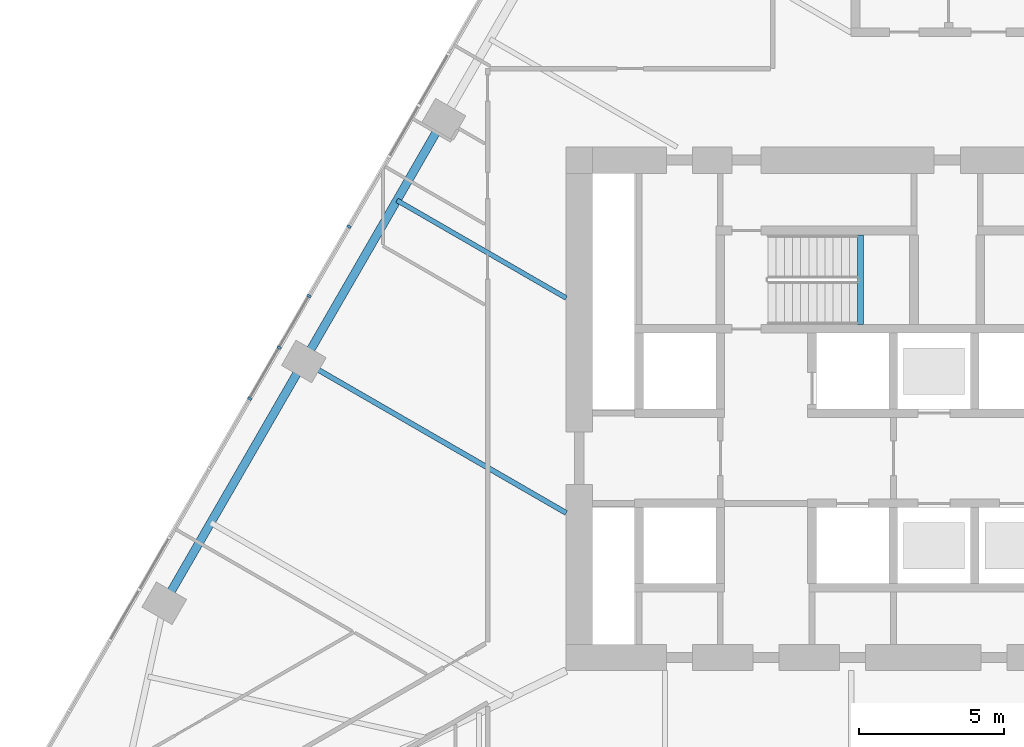
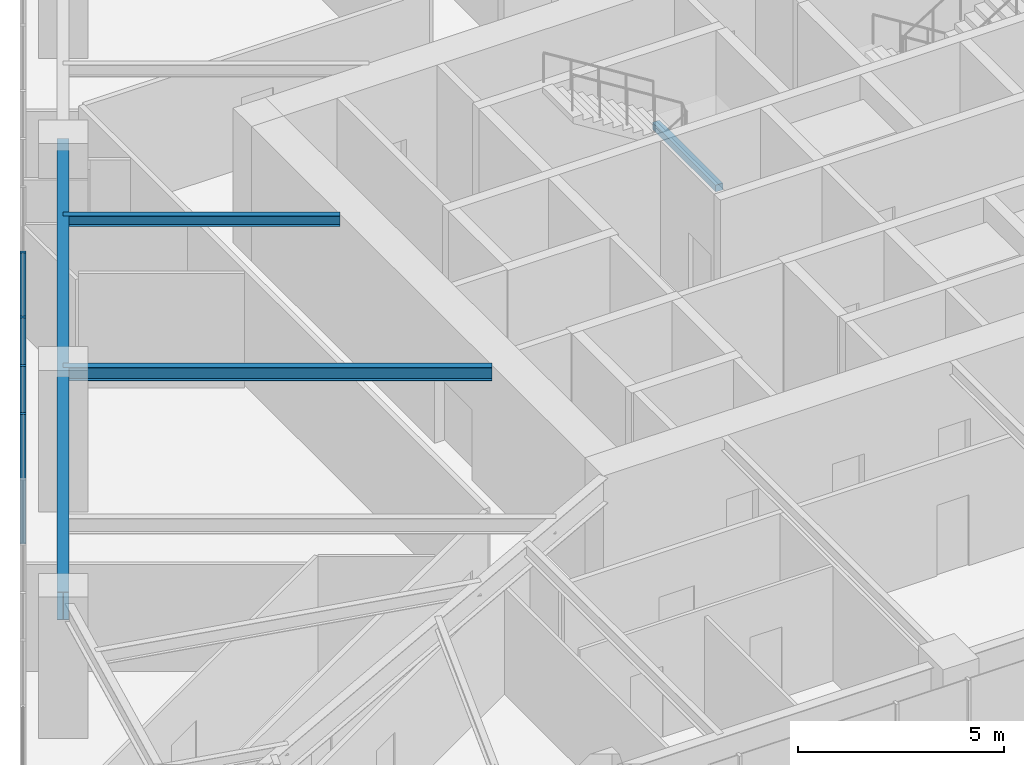
# One storey, part 3 of 29: 4 beams, 4 members, 1 element without a shape of its own.
"""IFC4 building model written with IfcOpenShell, lengths in metres."""

from ifc_helpers import new_model, si_unit, direction, frame, origin, origin_2d, place, context, subcontext, project, spatial, rectangle, i_section, extrude, material, layer, layer_set, material_profile, profile_set, type_object, element, aggregate, save


model = new_model("IFC4")

# Units and contexts
model_context = context("Model", 3, precision=1e-05, world=origin(), true_north=direction((0.0, 1.0)))
body_context = subcontext(model_context, "Body", "Model", "MODEL_VIEW")
ifc_project = project(units=[si_unit("LENGTHUNIT", "METRE"), si_unit("AREAUNIT", "SQUARE_METRE"), si_unit("VOLUMEUNIT", "CUBIC_METRE"), si_unit("PLANEANGLEUNIT", "RADIAN"), si_unit("MASSUNIT", "GRAM", prefix="KILO")], contexts=[model_context])

# Site, building, storey
site_placement = place(None, origin())
site = spatial("IfcSite", under=ifc_project, at=site_placement, CompositionType="ELEMENT")
building_placement = place(site_placement, origin())
building = spatial("IfcBuilding", under=site, at=building_placement, Name="Firuza Gate Tower and Library", CompositionType="ELEMENT")
storey_placement = place(building_placement, frame((0.0, 0.0, 44.199951171875)))
storey = spatial("IfcBuildingStorey", under=building, at=storey_placement, Name="L09", CompositionType="ELEMENT", Elevation=44.199951171875)

# Curtain wall, members
ifc_material_1 = material(Name="Aluminium 6063-T6", Category="aluminium")
ifc_layer = layer(ifc_material_1, 0.14990234375)
ifc_layer_set = layer_set([ifc_layer], Name="Unitised curtain wall, offices")
curtain_wall_type = type_object("IfcCurtainWallType", Name="Unitised curtain wall, offices", PredefinedType="NOTDEFINED", material=ifc_layer_set)
curtain_wall_placement = place(storey_placement, origin())
curtain_wall = element("IfcCurtainWall", 1, at=curtain_wall_placement, inside=storey, type_object=curtain_wall_type, Name="CW1 L09 W face", PredefinedType="NOTDEFINED")
ifc_material_2 = material(Name="Aluminium 6063-T6", Category="aluminium")
ifc_material_profile_1 = material_profile(ifc_material_2, rectangle(XDim=0.14990234375, YDim=0.080078125, at=origin_2d()))
ifc_profile_set_1 = profile_set([ifc_material_profile_1], Name="Aluminium 6063-T6")
member_type = type_object("IfcMemberType", Name="Curtain wall mullion 80x150", PredefinedType="MULLION", material=ifc_profile_set_1)
member_1_placement = place(storey_placement, frame((54.531494140625, 81.2666015625, 0.150146484375), z_axis=(0.0, 0.0, 1.0), x_axis=(0.866025403784, -0.5, 0.0)))
member_1 = element("IfcMember", 2, at=member_1_placement, type_object=member_type, Name="Mullion", PredefinedType="MULLION", context=body_context, shape_type="SweptSolid", body=[
    extrude(rectangle(XDim=0.14990234375, YDim=0.080078125, at=origin_2d()), origin(), (0.0, 0.0, 1.0), 3.849853515625),
])
member_2_placement = place(storey_placement, frame((52.1279296875, 77.103515625, 0.150146484375), z_axis=(0.0, 0.0, 1.0), x_axis=(0.866025403784, -0.5, 0.0)))
member_2 = element("IfcMember", 3, at=member_2_placement, type_object=member_type, Name="Mullion", PredefinedType="MULLION", context=body_context, shape_type="SweptSolid", body=[
    extrude(rectangle(XDim=0.14990234375, YDim=0.080078125, at=origin_2d()), origin(), (0.0, 0.0, 1.0), 3.849853515625),
])
member_3_placement = place(storey_placement, frame((53.15380859375, 78.880615234375, 0.150146484375), z_axis=(0.0, 0.0, 1.0), x_axis=(0.866025403784, -0.5, 0.0)))
member_3 = element("IfcMember", 4, at=member_3_placement, type_object=member_type, Name="Mullion", PredefinedType="MULLION", context=body_context, shape_type="SweptSolid", body=[
    extrude(rectangle(XDim=0.14990234375, YDim=0.080078125, at=origin_2d()), origin(), (0.0, 0.0, 1.0), 3.849853515625),
])
member_4_placement = place(storey_placement, frame((51.1162109375, 75.351318359375, 0.150146484375), z_axis=(0.0, 0.0, 1.0), x_axis=(0.866025403784, -0.5, 0.0)))
member_4 = element("IfcMember", 5, at=member_4_placement, type_object=member_type, Name="Mullion", PredefinedType="MULLION", context=body_context, shape_type="SweptSolid", body=[
    extrude(rectangle(XDim=0.14990234375, YDim=0.080078125, at=origin_2d()), origin(), (0.0, 0.0, 1.0), 3.849853515625),
])
aggregate(curtain_wall, [member_1, member_2, member_3, member_4])

# Beams
ifc_material_3 = material(Name="Concrete C35/45", Category="concrete")
ifc_material_profile_2 = material_profile(ifc_material_3, rectangle(XDim=0.199951171875, YDim=0.199951171875, at=origin_2d()))
ifc_profile_set_2 = profile_set([ifc_material_profile_2], Name="Concrete C35/45")
beam_type_1 = type_object("IfcBeamType", Name="Stair landing bearer 200x200", PredefinedType="BEAM", material=ifc_profile_set_2)
beam_1_placement = place(storey_placement, frame((72.1201171875, 77.89990234375, 1.800048828125), z_axis=(0.0, 1.0, 0.0), x_axis=(-1.0, 0.0, 0.0)))
element("IfcBeam", 6, at=beam_1_placement, inside=storey, type_object=beam_type_1, Name="Landing bearer L09 stair 1", PredefinedType="BEAM", context=body_context, shape_type="SweptSolid", body=[
    extrude(rectangle(XDim=0.199951171875, YDim=0.199951171875, at=origin_2d()), origin(), (0.0, 0.0, 1.0), 3.080078125),
])
ifc_material_4 = material(Name="Steel S355", Category="steel")
ifc_material_profile_3 = material_profile(ifc_material_4, i_section(OverallWidth=0.1650390625, OverallDepth=0.31005859375, WebThickness=0.005859375, FlangeThickness=0.009765625, at=origin_2d()))
ifc_profile_set_3 = profile_set([ifc_material_profile_3], Name="Steel S355")
beam_type_2 = type_object("IfcBeamType", Name="W310x39 Floor beam", PredefinedType="JOIST", material=ifc_profile_set_3)
beam_2_placement = place(storey_placement, frame((56.179443359375, 82.171142578125, 3.844970703125), z_axis=(0.866019234261, -0.500010685776, 0.0), x_axis=(0.500010685776, 0.866019234261, 0.0)))
element("IfcBeam", 7, at=beam_2_placement, inside=storey, type_object=beam_type_2, Name="Floor beam L09 s83", PredefinedType="JOIST", context=body_context, shape_type="SweptSolid", body=[
    extrude(i_section(OverallWidth=0.1650390625, OverallDepth=0.31005859375, WebThickness=0.005859375, FlangeThickness=0.009765625, at=origin_2d()), origin(), (0.0, 0.0, 1.0), 6.720947265625),
])
ifc_material_5 = material(Name="Steel S355", Category="steel")
ifc_material_profile_4 = material_profile(ifc_material_5, i_section(OverallWidth=0.177978515625, OverallDepth=0.406982421875, WebThickness=0.0078125, FlangeThickness=0.0126953125, at=origin_2d()))
ifc_profile_set_4 = profile_set([ifc_material_profile_4], Name="Steel S355")
beam_type_3 = type_object("IfcBeamType", Name="W410x60 Floor beam", PredefinedType="JOIST", material=ifc_profile_set_4)
beam_3_placement = place(storey_placement, frame((52.9794921875, 76.62841796875, 3.796630859375), z_axis=(0.866024771944, -0.500001094379, 0.0), x_axis=(0.500001094379, 0.866024771944, 0.0)))
element("IfcBeam", 8, at=beam_3_placement, inside=storey, type_object=beam_type_3, Name="Floor beam L09 s84", PredefinedType="JOIST", context=body_context, shape_type="SweptSolid", body=[
    extrude(i_section(OverallWidth=0.177978515625, OverallDepth=0.406982421875, WebThickness=0.0078125, FlangeThickness=0.0126953125, at=origin_2d()), origin(), (0.0, 0.0, 1.0), 10.416015625),
])
ifc_material_6 = material(Name="Steel S355", Category="steel")
ifc_material_profile_5 = material_profile(ifc_material_6, i_section(OverallWidth=0.2919921875, OverallDepth=0.8349609375, WebThickness=0.013916015625, FlangeThickness=0.018798828125, at=origin_2d()))
ifc_profile_set_5 = profile_set([ifc_material_profile_5], Name="Steel S355")
beam_type_4 = type_object("IfcBeamType", Name="W840x176 Edge beam", PredefinedType="SPANDREL", material=ifc_profile_set_5)
beam_4_placement = place(storey_placement, frame((57.779541015625, 84.9423828125, 3.58251953125), z_axis=(-0.500003864429, -0.866023172644, 0.0), x_axis=(0.866023172644, -0.500003864429, 0.0)))
element("IfcBeam", 9, at=beam_4_placement, inside=storey, type_object=beam_type_4, Name="Edge beam L09 e82", PredefinedType="SPANDREL", context=body_context, shape_type="SweptSolid", body=[
    extrude(i_section(OverallWidth=0.2919921875, OverallDepth=0.8349609375, WebThickness=0.013916015625, FlangeThickness=0.018798828125, at=origin_2d()), origin(), (0.0, 0.0, 1.0), 19.199951171875),
])

save(model, "model.ifc")
